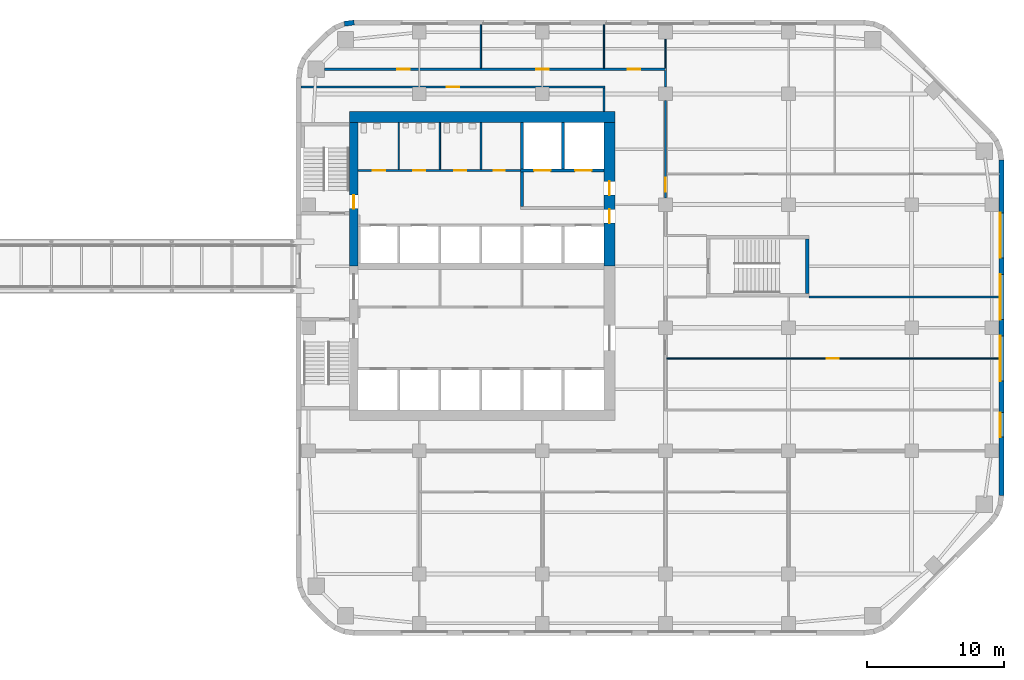
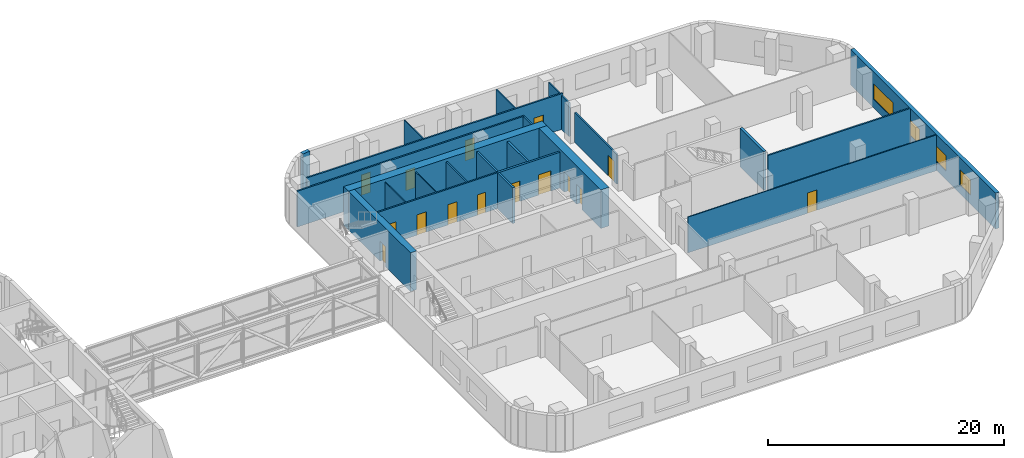
# One storey, part 16 of 21: 24 walls, 15 doors, 4 windows, 19 openings.
"""IFC4 building model written with IfcOpenShell, lengths in metres."""

from ifc_helpers import new_model, si_unit, direction, frame, frame_2d, origin, place, context, subcontext, project, spatial, rectangle, extrude, material, layer, layer_set, type_object, element, fill, save


model = new_model("IFC4")

# Units and contexts
model_context = context("Model", 3, precision=1e-05, world=origin(), true_north=direction((0.0, 1.0)))
body_context = subcontext(model_context, "Body", "Model", "MODEL_VIEW")
ifc_project = project(units=[si_unit("LENGTHUNIT", "METRE"), si_unit("AREAUNIT", "SQUARE_METRE"), si_unit("VOLUMEUNIT", "CUBIC_METRE"), si_unit("PLANEANGLEUNIT", "RADIAN"), si_unit("MASSUNIT", "GRAM", prefix="KILO")], contexts=[model_context])

# Site, building, storey
site_placement = place(None, origin())
site = spatial("IfcSite", under=ifc_project, at=site_placement, CompositionType="ELEMENT")
building_placement = place(site_placement, origin())
building = spatial("IfcBuilding", under=site, at=building_placement, Name="Cinnabar Reach Civic Tower", CompositionType="ELEMENT")
storey_placement = place(building_placement, frame((0.0, 0.0, 140.0)))
storey = spatial("IfcBuildingStorey", under=building, at=storey_placement, Name="L33", CompositionType="ELEMENT", Elevation=140.0)

# Wall
ifc_material_1 = material(Name="Facing brick with insulated backing", Category="masonry")
ifc_layer_1 = layer(ifc_material_1, 0.36)
ifc_layer_set_1 = layer_set([ifc_layer_1], Name="Brick corner wall")
wall_type_1 = type_object("IfcWallType", Name="Brick corner wall", PredefinedType="STANDARD", material=ifc_layer_set_1)
wall_1_placement = place(storey_placement, frame((4.2314, 49.317, 0.0), z_axis=(0.0, 0.0, 1.0), x_axis=(-0.99144092581, -0.13055608231, 0.0)))
element("IfcWall", 1, at=wall_1_placement, inside=storey, type_object=wall_type_1, Name="Brick corner wall", PredefinedType="STANDARD", context=body_context, shape_type="SweptSolid", body=[
    extrude(rectangle(XDim=0.7131, YDim=0.36, at=frame_2d((0.3565, 0.0))), origin(), (0.0, 0.0, 1.0), 3.7),
])

# Wall, openings, windows
ifc_layer_2 = layer(ifc_material_1, 0.36)
ifc_layer_set_2 = layer_set([ifc_layer_2], Name="Brick pier and spandrel wall")
wall_type_2 = type_object("IfcWallType", Name="Brick pier and spandrel wall", PredefinedType="STANDARD", material=ifc_layer_set_2)
wall_2_placement = place(storey_placement, frame((51.57, 14.7426, 0.0), z_axis=(0.0, 0.0, 1.0), x_axis=(0.0, 1.0, 0.0)))
wall_2 = element("IfcWall", 2, at=wall_2_placement, inside=storey, type_object=wall_type_2, Name="Brick facade wall", PredefinedType="STANDARD", context=body_context, shape_type="SweptSolid", body=[
    extrude(rectangle(XDim=24.5148, YDim=0.36, at=frame_2d((12.2574, 0.0))), origin(), (0.0, 0.0, 1.0), 3.7),
])
opening_1_placement = place(wall_2_placement, frame((4.2574, 0.0, 0.9)))
opening_1 = element("IfcOpeningElement", 3, at=opening_1_placement, cuts=wall_2, Name="Opening W1707", PredefinedType="OPENING", context=body_context, shape_type="SweptSolid", body=[
    extrude(rectangle(XDim=1.8, YDim=1.6, at=frame_2d((0.9, 0.8))), frame((0.0, 0.19, 0.0), z_axis=(0.0, -1.0, 0.0), x_axis=(1.0, 0.0, 0.0)), (0.0, 0.0, 1.0), 0.38),
])
opening_2_placement = place(wall_2_placement, frame((8.3574, 0.0, 0.9)))
opening_2 = element("IfcOpeningElement", 4, at=opening_2_placement, cuts=wall_2, Name="Opening W1708", PredefinedType="OPENING", context=body_context, shape_type="SweptSolid", body=[
    extrude(rectangle(XDim=3.3, YDim=1.6, at=frame_2d((1.65, 0.8))), frame((0.0, 0.19, 0.0), z_axis=(0.0, -1.0, 0.0), x_axis=(1.0, 0.0, 0.0)), (0.0, 0.0, 1.0), 0.38),
])
opening_3_placement = place(wall_2_placement, frame((12.8574, 0.0, 0.9)))
opening_3 = element("IfcOpeningElement", 5, at=opening_3_placement, cuts=wall_2, Name="Opening W1709", PredefinedType="OPENING", context=body_context, shape_type="SweptSolid", body=[
    extrude(rectangle(XDim=3.3, YDim=1.6, at=frame_2d((1.65, 0.8))), frame((0.0, 0.19, 0.0), z_axis=(0.0, -1.0, 0.0), x_axis=(1.0, 0.0, 0.0)), (0.0, 0.0, 1.0), 0.38),
])
opening_4_placement = place(wall_2_placement, frame((17.3574, 0.0, 0.9)))
opening_4 = element("IfcOpeningElement", 6, at=opening_4_placement, cuts=wall_2, Name="Opening W1710", PredefinedType="OPENING", context=body_context, shape_type="SweptSolid", body=[
    extrude(rectangle(XDim=3.3, YDim=1.6, at=frame_2d((1.65, 0.8))), frame((0.0, 0.19, 0.0), z_axis=(0.0, -1.0, 0.0), x_axis=(1.0, 0.0, 0.0)), (0.0, 0.0, 1.0), 0.38),
])
ifc_material_2 = material(Name="Clear double glazing in aluminium frame", Category="aluminium")
window_type_1 = type_object("IfcWindowType", Name="Deep-set window A", PartitioningType="SINGLE_PANEL", PredefinedType="WINDOW", material=ifc_material_2)
window_1_placement = place(opening_2_placement, origin())
window_1 = element("IfcWindow", 7, at=window_1_placement, inside=storey, type_object=window_type_1, Name="Window east face", OverallHeight=1.6, OverallWidth=3.3, PartitioningType="SINGLE_PANEL", PredefinedType="WINDOW", context=body_context, shape_type="SweptSolid", body=[
    extrude(rectangle(XDim=3.3, YDim=1.6, at=frame_2d((1.65, 0.8))), frame((0.0, 0.13, 0.0), z_axis=(0.0, -1.0, 0.0), x_axis=(1.0, 0.0, 0.0)), (0.0, 0.0, 1.0), 0.06),
])
fill(opening_2, window_1)
window_2_placement = place(opening_3_placement, origin())
window_2 = element("IfcWindow", 8, at=window_2_placement, inside=storey, type_object=window_type_1, Name="Window east face", OverallHeight=1.6, OverallWidth=3.3, PartitioningType="SINGLE_PANEL", PredefinedType="WINDOW", context=body_context, shape_type="SweptSolid", body=[
    extrude(rectangle(XDim=3.3, YDim=1.6, at=frame_2d((1.65, 0.8))), frame((0.0, 0.13, 0.0), z_axis=(0.0, -1.0, 0.0), x_axis=(1.0, 0.0, 0.0)), (0.0, 0.0, 1.0), 0.06),
])
fill(opening_3, window_2)
window_3_placement = place(opening_4_placement, origin())
window_3 = element("IfcWindow", 9, at=window_3_placement, inside=storey, type_object=window_type_1, Name="Window east face", OverallHeight=1.6, OverallWidth=3.3, PartitioningType="SINGLE_PANEL", PredefinedType="WINDOW", context=body_context, shape_type="SweptSolid", body=[
    extrude(rectangle(XDim=3.3, YDim=1.6, at=frame_2d((1.65, 0.8))), frame((0.0, 0.13, 0.0), z_axis=(0.0, -1.0, 0.0), x_axis=(1.0, 0.0, 0.0)), (0.0, 0.0, 1.0), 0.06),
])
fill(opening_4, window_3)
window_type_2 = type_object("IfcWindowType", Name="Deep-set window D", PartitioningType="SINGLE_PANEL", PredefinedType="WINDOW", material=ifc_material_2)
window_4_placement = place(opening_1_placement, origin())
window_4 = element("IfcWindow", 10, at=window_4_placement, inside=storey, type_object=window_type_2, Name="Window east face", OverallHeight=1.6, OverallWidth=1.8, PartitioningType="SINGLE_PANEL", PredefinedType="WINDOW", context=body_context, shape_type="SweptSolid", body=[
    extrude(rectangle(XDim=1.8, YDim=1.6, at=frame_2d((0.9, 0.8))), frame((0.0, 0.13, 0.0), z_axis=(0.0, -1.0, 0.0), x_axis=(1.0, 0.0, 0.0)), (0.0, 0.0, 1.0), 0.06),
])
fill(opening_1, window_4)

# Wall, opening, door
ifc_material_3 = material(Name="Concrete C70", Category="concrete")
ifc_layer_3 = layer(ifc_material_3, 0.6)
ifc_layer_set_3 = layer_set([ifc_layer_3], Name="Core wall 600 EI 180")
wall_type_3 = type_object("IfcWallType", Name="Core wall 600 EI 180", PredefinedType="SOLIDWALL", material=ifc_layer_set_3)
wall_3_placement = place(storey_placement, frame((4.2, 42.0, 0.0), z_axis=(0.0, 0.0, 1.0), x_axis=(0.0, -1.0, 0.0)))
wall_3 = element("IfcWall", 11, at=wall_3_placement, inside=storey, type_object=wall_type_3, Name="Core wall T1 L33 W", PredefinedType="SOLIDWALL", context=body_context, shape_type="SweptSolid", body=[
    extrude(rectangle(XDim=10.5, YDim=0.6, at=frame_2d((5.25, 0.0))), origin(), (0.0, 0.0, 1.0), 4.0),
])
opening_5_placement = place(wall_3_placement, frame((5.3, 0.0, 0.0)))
opening_5 = element("IfcOpeningElement", 12, at=opening_5_placement, cuts=wall_3, Name="Opening D4333", PredefinedType="OPENING", context=body_context, shape_type="SweptSolid", body=[
    extrude(rectangle(XDim=1.0, YDim=2.1, at=frame_2d((0.5, 1.05))), frame((0.0, 0.31, 0.0), z_axis=(0.0, -1.0, 0.0), x_axis=(1.0, 0.0, 0.0)), (0.0, 0.0, 1.0), 0.62),
])
ifc_material_4 = material(Name="Timber door leaf in steel frame", Category="steel")
door_type_1 = type_object("IfcDoorType", Name="Stair door 1000 x 2100 T1", OperationType="SINGLE_SWING_LEFT", PredefinedType="DOOR", material=ifc_material_4)
door_1_placement = place(opening_5_placement, frame((1.0, 0.0, 0.0), z_axis=(0.0, 0.0, 1.0), x_axis=(-1.0, 0.0, 0.0)))
door_1 = element("IfcDoor", 13, at=door_1_placement, inside=storey, type_object=door_type_1, Name="Door D4333", OperationType="SINGLE_SWING_LEFT", OverallHeight=2.1, OverallWidth=1.0, PredefinedType="DOOR", context=body_context, shape_type="SweptSolid", body=[
    extrude(rectangle(XDim=1.0, YDim=2.1, at=frame_2d((0.5, 1.05))), frame((0.0, 0.025, 0.0), z_axis=(0.0, -1.0, 0.0), x_axis=(1.0, 0.0, 0.0)), (0.0, 0.0, 1.0), 0.05),
])
fill(opening_5, door_1)

# Wall
ifc_layer_4 = layer(ifc_material_3, 0.8)
ifc_layer_set_4 = layer_set([ifc_layer_4], Name="Core wall 800 EI 180")
wall_type_4 = type_object("IfcWallType", Name="Core wall 800 EI 180", PredefinedType="SOLIDWALL", material=ifc_layer_set_4)
wall_4_placement = place(storey_placement, frame((23.3, 42.4, 0.0), z_axis=(0.0, 0.0, 1.0), x_axis=(-1.0, 0.0, 0.0)))
element("IfcWall", 14, at=wall_4_placement, inside=storey, type_object=wall_type_4, Name="Core wall T1 L33 N", PredefinedType="SOLIDWALL", context=body_context, shape_type="SweptSolid", body=[
    extrude(rectangle(XDim=19.4, YDim=0.8, at=frame_2d((9.7, 0.0))), origin(), (0.0, 0.0, 1.0), 4.0),
])

# Wall, openings, doors
wall_5_placement = place(storey_placement, frame((22.9, 31.5, 0.0), z_axis=(0.0, 0.0, 1.0), x_axis=(0.0, 1.0, 0.0)))
wall_5 = element("IfcWall", 15, at=wall_5_placement, inside=storey, type_object=wall_type_4, Name="Core wall T1 L33 E2", PredefinedType="SOLIDWALL", context=body_context, shape_type="SweptSolid", body=[
    extrude(rectangle(XDim=10.5, YDim=0.8, at=frame_2d((5.25, 0.0))), origin(), (0.0, 0.0, 1.0), 4.0),
])
opening_6_placement = place(wall_5_placement, frame((3.15, 0.0, 0.0)))
opening_6 = element("IfcOpeningElement", 16, at=opening_6_placement, cuts=wall_5, Name="Opening D4350", PredefinedType="OPENING", context=body_context, shape_type="SweptSolid", body=[
    extrude(rectangle(XDim=1.0, YDim=2.1, at=frame_2d((0.5, 1.05))), frame((0.0, 0.41, 0.0), z_axis=(0.0, -1.0, 0.0), x_axis=(1.0, 0.0, 0.0)), (0.0, 0.0, 1.0), 0.82),
])
opening_7_placement = place(wall_5_placement, frame((5.2, 0.0, 0.0)))
opening_7 = element("IfcOpeningElement", 17, at=opening_7_placement, cuts=wall_5, Name="Opening D4351", PredefinedType="OPENING", context=body_context, shape_type="SweptSolid", body=[
    extrude(rectangle(XDim=1.0, YDim=2.1, at=frame_2d((0.5, 1.05))), frame((0.0, 0.41, 0.0), z_axis=(0.0, -1.0, 0.0), x_axis=(1.0, 0.0, 0.0)), (0.0, 0.0, 1.0), 0.82),
])
door_type_2 = type_object("IfcDoorType", Name="Firefighting lobby door 1000 x 2100 T1", OperationType="SINGLE_SWING_LEFT", PredefinedType="DOOR", material=ifc_material_4)
door_2_placement = place(opening_7_placement, origin())
door_2 = element("IfcDoor", 18, at=door_2_placement, inside=storey, type_object=door_type_2, Name="Door D4351", OperationType="SINGLE_SWING_RIGHT", OverallHeight=2.1, OverallWidth=1.0, PredefinedType="DOOR", context=body_context, shape_type="SweptSolid", body=[
    extrude(rectangle(XDim=1.0, YDim=2.1, at=frame_2d((0.5, 1.05))), frame((0.0, 0.025, 0.0), z_axis=(0.0, -1.0, 0.0), x_axis=(1.0, 0.0, 0.0)), (0.0, 0.0, 1.0), 0.05),
])
fill(opening_7, door_2)
door_type_3 = type_object("IfcDoorType", Name="Single swing door 1000 x 2100 T1", OperationType="SINGLE_SWING_LEFT", PredefinedType="DOOR", material=ifc_material_4)
door_3_placement = place(opening_6_placement, origin())
door_3 = element("IfcDoor", 19, at=door_3_placement, inside=storey, type_object=door_type_3, Name="Door D4350", OperationType="SINGLE_SWING_RIGHT", OverallHeight=2.1, OverallWidth=1.0, PredefinedType="DOOR", context=body_context, shape_type="SweptSolid", body=[
    extrude(rectangle(XDim=1.0, YDim=2.1, at=frame_2d((0.5, 1.05))), frame((0.0, 0.025, 0.0), z_axis=(0.0, -1.0, 0.0), x_axis=(1.0, 0.0, 0.0)), (0.0, 0.0, 1.0), 0.05),
])
fill(opening_6, door_3)

ifc_material_5 = material(Name="Gypsum board on steel studs, double layer", Category="steel")
ifc_layer_5 = layer(ifc_material_5, 0.15)
ifc_layer_set_5 = layer_set([ifc_layer_5], Name="Corridor wall 150 T1")
wall_type_5 = type_object("IfcWallType", Name="Corridor wall 150 T1", PredefinedType="PARTITIONING", material=ifc_layer_set_5)
wall_6_placement = place(storey_placement, frame((2.0531, 45.9, 0.0), z_axis=(0.0, 0.0, 1.0), x_axis=(1.0, 0.0, 0.0)))
wall_6 = element("IfcWall", 20, at=wall_6_placement, inside=storey, type_object=wall_type_5, Name="Corridor wall 25", PredefinedType="PARTITIONING", context=body_context, shape_type="SweptSolid", body=[
    extrude(rectangle(XDim=25.0219, YDim=0.15, at=frame_2d((12.5109, 0.0))), origin(), (0.0, 0.0, 1.0), 3.7),
])
opening_8_placement = place(wall_6_placement, frame((5.35, 0.0, 0.0)))
opening_8 = element("IfcOpeningElement", 21, at=opening_8_placement, cuts=wall_6, Name="Opening D4371", PredefinedType="OPENING", context=body_context, shape_type="SweptSolid", body=[
    extrude(rectangle(XDim=0.9, YDim=2.1, at=frame_2d((0.45, 1.05))), frame((0.0, 0.085, 0.0), z_axis=(0.0, -1.0, 0.0), x_axis=(1.0, 0.0, 0.0)), (0.0, 0.0, 1.0), 0.17),
])
opening_9_placement = place(wall_6_placement, frame((15.4969, 0.0, 0.0)))
opening_9 = element("IfcOpeningElement", 22, at=opening_9_placement, cuts=wall_6, Name="Opening D4372", PredefinedType="OPENING", context=body_context, shape_type="SweptSolid", body=[
    extrude(rectangle(XDim=0.9, YDim=2.1, at=frame_2d((0.45, 1.05))), frame((0.0, 0.085, 0.0), z_axis=(0.0, -1.0, 0.0), x_axis=(1.0, 0.0, 0.0)), (0.0, 0.0, 1.0), 0.17),
])
opening_10_placement = place(wall_6_placement, frame((22.1969, 0.0, 0.0)))
opening_10 = element("IfcOpeningElement", 23, at=opening_10_placement, cuts=wall_6, Name="Opening D4373", PredefinedType="OPENING", context=body_context, shape_type="SweptSolid", body=[
    extrude(rectangle(XDim=0.9, YDim=2.1, at=frame_2d((0.45, 1.05))), frame((0.0, 0.085, 0.0), z_axis=(0.0, -1.0, 0.0), x_axis=(1.0, 0.0, 0.0)), (0.0, 0.0, 1.0), 0.17),
])
door_type_4 = type_object("IfcDoorType", Name="Single swing door 900 x 2100 corridor T1", OperationType="SINGLE_SWING_LEFT", PredefinedType="DOOR", material=ifc_material_4)
door_4_placement = place(opening_8_placement, origin())
door_4 = element("IfcDoor", 24, at=door_4_placement, inside=storey, type_object=door_type_4, Name="Door D4371", OperationType="SINGLE_SWING_RIGHT", OverallHeight=2.1, OverallWidth=0.9, PredefinedType="DOOR", context=body_context, shape_type="SweptSolid", body=[
    extrude(rectangle(XDim=0.9, YDim=2.1, at=frame_2d((0.45, 1.05))), frame((0.0, 0.025, 0.0), z_axis=(0.0, -1.0, 0.0), x_axis=(1.0, 0.0, 0.0)), (0.0, 0.0, 1.0), 0.05),
])
fill(opening_8, door_4)
door_5_placement = place(opening_9_placement, origin())
door_5 = element("IfcDoor", 25, at=door_5_placement, inside=storey, type_object=door_type_4, Name="Door D4372", OperationType="SINGLE_SWING_LEFT", OverallHeight=2.1, OverallWidth=0.9, PredefinedType="DOOR", context=body_context, shape_type="SweptSolid", body=[
    extrude(rectangle(XDim=0.9, YDim=2.1, at=frame_2d((0.45, 1.05))), frame((0.0, 0.025, 0.0), z_axis=(0.0, -1.0, 0.0), x_axis=(1.0, 0.0, 0.0)), (0.0, 0.0, 1.0), 0.05),
])
fill(opening_9, door_5)
door_6_placement = place(opening_10_placement, origin())
door_6 = element("IfcDoor", 26, at=door_6_placement, inside=storey, type_object=door_type_4, Name="Door D4373", OperationType="SINGLE_SWING_LEFT", OverallHeight=2.1, OverallWidth=0.9, PredefinedType="DOOR", context=body_context, shape_type="SweptSolid", body=[
    extrude(rectangle(XDim=0.9, YDim=2.1, at=frame_2d((0.45, 1.05))), frame((0.0, 0.025, 0.0), z_axis=(0.0, -1.0, 0.0), x_axis=(1.0, 0.0, 0.0)), (0.0, 0.0, 1.0), 0.05),
])
fill(opening_10, door_6)

# Wall, opening, door
wall_7_placement = place(storey_placement, frame((0.36, 44.6, 0.0), z_axis=(0.0, 0.0, 1.0), x_axis=(1.0, 0.0, 0.0)))
wall_7 = element("IfcWall", 27, at=wall_7_placement, inside=storey, type_object=wall_type_5, Name="Corridor wall 27", PredefinedType="PARTITIONING", context=body_context, shape_type="SweptSolid", body=[
    extrude(rectangle(XDim=22.215, YDim=0.15, at=frame_2d((11.1075, 0.0))), origin(), (0.0, 0.0, 1.0), 3.7),
])
opening_11_placement = place(wall_7_placement, frame((10.65, 0.0, 0.0)))
opening_11 = element("IfcOpeningElement", 28, at=opening_11_placement, cuts=wall_7, Name="Opening D5791", PredefinedType="OPENING", context=body_context, shape_type="SweptSolid", body=[
    extrude(rectangle(XDim=0.9, YDim=2.1, at=frame_2d((0.45, 1.05))), frame((0.0, 0.085, 0.0), z_axis=(0.0, -1.0, 0.0), x_axis=(1.0, 0.0, 0.0)), (0.0, 0.0, 1.0), 0.17),
])
door_7_placement = place(opening_11_placement, frame((0.9, 0.0, 0.0), z_axis=(0.0, 0.0, 1.0), x_axis=(-1.0, 0.0, 0.0)))
door_7 = element("IfcDoor", 29, at=door_7_placement, inside=storey, type_object=door_type_4, Name="Door D5791", OperationType="SINGLE_SWING_LEFT", OverallHeight=2.1, OverallWidth=0.9, PredefinedType="DOOR", context=body_context, shape_type="SweptSolid", body=[
    extrude(rectangle(XDim=0.9, YDim=2.1, at=frame_2d((0.45, 1.05))), frame((0.0, 0.025, 0.0), z_axis=(0.0, -1.0, 0.0), x_axis=(1.0, 0.0, 0.0)), (0.0, 0.0, 1.0), 0.05),
])
fill(opening_11, door_7)

wall_8_placement = place(storey_placement, frame((27.0, 36.5, 0.0), z_axis=(0.0, 0.0, 1.0), x_axis=(0.0, 1.0, 0.0)))
wall_8 = element("IfcWall", 30, at=wall_8_placement, inside=storey, type_object=wall_type_5, Name="Corridor wall 30", PredefinedType="PARTITIONING", context=body_context, shape_type="SweptSolid", body=[
    extrude(rectangle(XDim=7.1, YDim=0.15, at=frame_2d((3.55, 0.0))), origin(), (0.0, 0.0, 1.0), 3.106),
])
opening_12_placement = place(wall_8_placement, frame((0.45, 0.0, 0.0)))
opening_12 = element("IfcOpeningElement", 31, at=opening_12_placement, cuts=wall_8, Name="Opening D4359", PredefinedType="OPENING", context=body_context, shape_type="SweptSolid", body=[
    extrude(rectangle(XDim=1.0, YDim=2.1, at=frame_2d((0.5, 1.05))), frame((0.0, 0.085, 0.0), z_axis=(0.0, -1.0, 0.0), x_axis=(1.0, 0.0, 0.0)), (0.0, 0.0, 1.0), 0.17),
])
door_type_5 = type_object("IfcDoorType", Name="Tenancy entrance door 1000 x 2100 T1", OperationType="SINGLE_SWING_LEFT", PredefinedType="DOOR", material=ifc_material_4)
door_8_placement = place(opening_12_placement, frame((1.0, 0.0, 0.0), z_axis=(0.0, 0.0, 1.0), x_axis=(-1.0, 0.0, 0.0)))
door_8 = element("IfcDoor", 32, at=door_8_placement, inside=storey, type_object=door_type_5, Name="Door D4359", OperationType="SINGLE_SWING_LEFT", OverallHeight=2.1, OverallWidth=1.0, PredefinedType="DOOR", context=body_context, shape_type="SweptSolid", body=[
    extrude(rectangle(XDim=1.0, YDim=2.1, at=frame_2d((0.5, 1.05))), frame((0.0, 0.025, 0.0), z_axis=(0.0, -1.0, 0.0), x_axis=(1.0, 0.0, 0.0)), (0.0, 0.0, 1.0), 0.05),
])
fill(opening_12, door_8)

# Wall
wall_9_placement = place(storey_placement, frame((27.0, 44.6, 0.0), z_axis=(0.0, 0.0, 1.0), x_axis=(0.0, 1.0, 0.0)))
element("IfcWall", 33, at=wall_9_placement, inside=storey, type_object=wall_type_5, Name="Corridor wall 31", PredefinedType="PARTITIONING", context=body_context, shape_type="SweptSolid", body=[
    extrude(rectangle(XDim=1.225, YDim=0.15, at=frame_2d((0.6125, 0.0))), origin(), (0.0, 0.0, 1.0), 3.502),
])

# Wall, openings, doors
wall_10_placement = place(storey_placement, frame((4.5, 38.5, 0.0), z_axis=(0.0, 0.0, 1.0), x_axis=(1.0, 0.0, 0.0)))
wall_10 = element("IfcWall", 34, at=wall_10_placement, inside=storey, type_object=wall_type_5, Name="Corridor wall 32", PredefinedType="PARTITIONING", context=body_context, shape_type="SweptSolid", body=[
    extrude(rectangle(XDim=11.9, YDim=0.15, at=frame_2d((5.95, 0.0))), origin(), (0.0, 0.0, 1.0), 3.7),
])
opening_13_placement = place(wall_10_placement, frame((1.1, 0.0, 0.0)))
opening_13 = element("IfcOpeningElement", 35, at=opening_13_placement, cuts=wall_10, Name="Opening D4355", PredefinedType="OPENING", context=body_context, shape_type="SweptSolid", body=[
    extrude(rectangle(XDim=0.9, YDim=2.1, at=frame_2d((0.45, 1.05))), frame((0.0, 0.085, 0.0), z_axis=(0.0, -1.0, 0.0), x_axis=(1.0, 0.0, 0.0)), (0.0, 0.0, 1.0), 0.17),
])
opening_14_placement = place(wall_10_placement, frame((4.05, 0.0, 0.0)))
opening_14 = element("IfcOpeningElement", 36, at=opening_14_placement, cuts=wall_10, Name="Opening D4356", PredefinedType="OPENING", context=body_context, shape_type="SweptSolid", body=[
    extrude(rectangle(XDim=0.9, YDim=2.1, at=frame_2d((0.45, 1.05))), frame((0.0, 0.085, 0.0), z_axis=(0.0, -1.0, 0.0), x_axis=(1.0, 0.0, 0.0)), (0.0, 0.0, 1.0), 0.17),
])
opening_15_placement = place(wall_10_placement, frame((7.05, 0.0, 0.0)))
opening_15 = element("IfcOpeningElement", 37, at=opening_15_placement, cuts=wall_10, Name="Opening D4357", PredefinedType="OPENING", context=body_context, shape_type="SweptSolid", body=[
    extrude(rectangle(XDim=0.9, YDim=2.1, at=frame_2d((0.45, 1.05))), frame((0.0, 0.085, 0.0), z_axis=(0.0, -1.0, 0.0), x_axis=(1.0, 0.0, 0.0)), (0.0, 0.0, 1.0), 0.17),
])
opening_16_placement = place(wall_10_placement, frame((9.95, 0.0, 0.0)))
opening_16 = element("IfcOpeningElement", 38, at=opening_16_placement, cuts=wall_10, Name="Opening D4358", PredefinedType="OPENING", context=body_context, shape_type="SweptSolid", body=[
    extrude(rectangle(XDim=0.8, YDim=2.1, at=frame_2d((0.4, 1.05))), frame((0.0, 0.085, 0.0), z_axis=(0.0, -1.0, 0.0), x_axis=(1.0, 0.0, 0.0)), (0.0, 0.0, 1.0), 0.17),
])
door_type_6 = type_object("IfcDoorType", Name="Riser access door 800 x 2100 T1", OperationType="SINGLE_SWING_LEFT", PredefinedType="DOOR", material=ifc_material_4)
door_9_placement = place(opening_16_placement, origin())
door_9 = element("IfcDoor", 39, at=door_9_placement, inside=storey, type_object=door_type_6, Name="Door D4358", OperationType="SINGLE_SWING_RIGHT", OverallHeight=2.1, OverallWidth=0.8, PredefinedType="DOOR", context=body_context, shape_type="SweptSolid", body=[
    extrude(rectangle(XDim=0.8, YDim=2.1, at=frame_2d((0.4, 1.05))), frame((0.0, 0.025, 0.0), z_axis=(0.0, -1.0, 0.0), x_axis=(1.0, 0.0, 0.0)), (0.0, 0.0, 1.0), 0.05),
])
fill(opening_16, door_9)
door_10_placement = place(opening_13_placement, origin())
door_10 = element("IfcDoor", 40, at=door_10_placement, inside=storey, type_object=door_type_4, Name="Door D4355", OperationType="SINGLE_SWING_RIGHT", OverallHeight=2.1, OverallWidth=0.9, PredefinedType="DOOR", context=body_context, shape_type="SweptSolid", body=[
    extrude(rectangle(XDim=0.9, YDim=2.1, at=frame_2d((0.45, 1.05))), frame((0.0, 0.025, 0.0), z_axis=(0.0, -1.0, 0.0), x_axis=(1.0, 0.0, 0.0)), (0.0, 0.0, 1.0), 0.05),
])
fill(opening_13, door_10)
door_11_placement = place(opening_14_placement, origin())
door_11 = element("IfcDoor", 41, at=door_11_placement, inside=storey, type_object=door_type_4, Name="Door D4356", OperationType="SINGLE_SWING_RIGHT", OverallHeight=2.1, OverallWidth=0.9, PredefinedType="DOOR", context=body_context, shape_type="SweptSolid", body=[
    extrude(rectangle(XDim=0.9, YDim=2.1, at=frame_2d((0.45, 1.05))), frame((0.0, 0.025, 0.0), z_axis=(0.0, -1.0, 0.0), x_axis=(1.0, 0.0, 0.0)), (0.0, 0.0, 1.0), 0.05),
])
fill(opening_14, door_11)
door_12_placement = place(opening_15_placement, origin())
door_12 = element("IfcDoor", 42, at=door_12_placement, inside=storey, type_object=door_type_4, Name="Door D4357", OperationType="SINGLE_SWING_LEFT", OverallHeight=2.1, OverallWidth=0.9, PredefinedType="DOOR", context=body_context, shape_type="SweptSolid", body=[
    extrude(rectangle(XDim=0.9, YDim=2.1, at=frame_2d((0.45, 1.05))), frame((0.0, 0.025, 0.0), z_axis=(0.0, -1.0, 0.0), x_axis=(1.0, 0.0, 0.0)), (0.0, 0.0, 1.0), 0.05),
])
fill(opening_15, door_12)

# Walls
wall_11_placement = place(storey_placement, frame((22.5, 42.8, 0.0), z_axis=(0.0, 0.0, 1.0), x_axis=(0.0, 1.0, 0.0)))
element("IfcWall", 43, at=wall_11_placement, inside=storey, type_object=wall_type_5, Name="Corridor wall 38", PredefinedType="PARTITIONING", context=body_context, shape_type="SweptSolid", body=[
    extrude(rectangle(XDim=1.725, YDim=0.15, at=frame_2d((0.8625, 0.0))), origin(), (0.0, 0.0, 1.0), 3.7),
])
ifc_material_6 = material(Name="Blockwork", Category="masonry")
ifc_layer_6 = layer(ifc_material_6, 0.2)
ifc_layer_set_6 = layer_set([ifc_layer_6], Name="Lift shaft wall 200 T1")
wall_type_6 = type_object("IfcWallType", Name="Lift shaft wall 200 T1", PredefinedType="PARTITIONING", material=ifc_layer_set_6)
for number, where, z_axis, x_axis, name in (
    (44, (16.5, 38.6, 0.0), (0.0, 0.0, 1.0), (0.0, 1.0, 0.0), "Lift shaft wall 6"),
    (45, (19.5, 38.6, 0.0), (0.0, 0.0, 1.0), (0.0, 1.0, 0.0), "Lift shaft wall 7"),
):
    element("IfcWall", number, at=place(storey_placement, frame(where, z_axis=z_axis, x_axis=x_axis)), inside=storey, type_object=wall_type_6, Name=name, PredefinedType="PARTITIONING", context=body_context, shape_type="SweptSolid", body=[
        extrude(rectangle(XDim=3.4, YDim=0.2, at=frame_2d((1.7, 0.0))), origin(), (0.0, 0.0, 1.0), 3.7),
    ])

# Wall, opening, door
ifc_material_7 = material(Name="Gypsum board on steel studs", Category="steel")
ifc_layer_7 = layer(ifc_material_7, 0.1)
ifc_layer_set_7 = layer_set([ifc_layer_7], Name="Partition wall 100 T1")
wall_type_7 = type_object("IfcWallType", Name="Partition wall 100 T1", PredefinedType="PARTITIONING", material=ifc_layer_set_7)
wall_12_placement = place(storey_placement, frame((27.075, 24.75, 0.0), z_axis=(0.0, 0.0, 1.0), x_axis=(1.0, 0.0, 0.0)))
wall_12 = element("IfcWall", 46, at=wall_12_placement, inside=storey, type_object=wall_type_7, Name="Partition wall 47", PredefinedType="PARTITIONING", context=body_context, shape_type="SweptSolid", body=[
    extrude(rectangle(XDim=24.315, YDim=0.1, at=frame_2d((12.1575, 0.0))), origin(), (0.0, 0.0, 1.0), 3.7),
])
opening_17_placement = place(wall_12_placement, frame((11.7, 0.0, 0.0)))
opening_17 = element("IfcOpeningElement", 47, at=opening_17_placement, cuts=wall_12, Name="Opening D4363", PredefinedType="OPENING", context=body_context, shape_type="SweptSolid", body=[
    extrude(rectangle(XDim=0.9, YDim=2.1, at=frame_2d((0.45, 1.05))), frame((0.0, 0.06, 0.0), z_axis=(0.0, -1.0, 0.0), x_axis=(1.0, 0.0, 0.0)), (0.0, 0.0, 1.0), 0.12),
])
door_type_7 = type_object("IfcDoorType", Name="Single swing door 900 x 2100 T1", OperationType="SINGLE_SWING_LEFT", PredefinedType="DOOR", material=ifc_material_4)
door_13_placement = place(opening_17_placement, frame((0.9, 0.0, 0.0), z_axis=(0.0, 0.0, 1.0), x_axis=(-1.0, 0.0, 0.0)))
door_13 = element("IfcDoor", 48, at=door_13_placement, inside=storey, type_object=door_type_7, Name="Door D4363", OperationType="SINGLE_SWING_LEFT", OverallHeight=2.1, OverallWidth=0.9, PredefinedType="DOOR", context=body_context, shape_type="SweptSolid", body=[
    extrude(rectangle(XDim=0.9, YDim=2.1, at=frame_2d((0.45, 1.05))), frame((0.0, 0.025, 0.0), z_axis=(0.0, -1.0, 0.0), x_axis=(1.0, 0.0, 0.0)), (0.0, 0.0, 1.0), 0.05),
])
fill(opening_17, door_13)

# Walls
for number, where, z_axis, x_axis, name in (
    (49, (7.5, 38.575, 0.0), (0.0, 0.0, 1.0), (0.0, 1.0, 0.0), "Partition wall 58"),
    (50, (10.5, 38.575, 0.0), (0.0, 0.0, 1.0), (0.0, 1.0, 0.0), "Partition wall 59"),
):
    element("IfcWall", number, at=place(storey_placement, frame(where, z_axis=z_axis, x_axis=x_axis)), inside=storey, type_object=wall_type_7, Name=name, PredefinedType="PARTITIONING", context=body_context, shape_type="SweptSolid", body=[
        extrude(rectangle(XDim=3.425, YDim=0.1, at=frame_2d((1.7125, 0.0))), origin(), (0.0, 0.0, 1.0), 3.7),
    ])
for number, where, z_axis, x_axis, name in (
    (51, (13.5, 45.975, 0.0), (0.0, 0.0, 1.0), (0.0, 1.0, 0.0), "Partition wall 60"),
    (52, (22.5, 45.975, 0.0), (0.0, 0.0, 1.0), (0.0, 1.0, 0.0), "Partition wall 61"),
):
    element("IfcWall", number, at=place(storey_placement, frame(where, z_axis=z_axis, x_axis=x_axis)), inside=storey, type_object=wall_type_7, Name=name, PredefinedType="PARTITIONING", context=body_context, shape_type="SweptSolid", body=[
        extrude(rectangle(XDim=3.165, YDim=0.1, at=frame_2d((1.5825, 0.0))), origin(), (0.0, 0.0, 1.0), 3.7),
    ])
wall_13_placement = place(storey_placement, frame((27.0, 45.975, 0.0), z_axis=(0.0, 0.0, 1.0), x_axis=(0.0, 1.0, 0.0)))
element("IfcWall", 53, at=wall_13_placement, inside=storey, type_object=wall_type_7, Name="Partition wall 62", PredefinedType="PARTITIONING", context=body_context, shape_type="SweptSolid", body=[
    extrude(rectangle(XDim=2.125, YDim=0.1, at=frame_2d((1.0625, 0.0))), origin(), (0.0, 0.0, 1.0), 3.502),
])

# Wall, openings, doors
ifc_material_8 = material(Name="Concrete C40", Category="concrete")
ifc_layer_8 = layer(ifc_material_8, 0.2)
ifc_layer_set_8 = layer_set([ifc_layer_8], Name="Refuge compartment wall 200 T1")
wall_type_8 = type_object("IfcWallType", Name="Refuge compartment wall 200 T1", PredefinedType="PARTITIONING", material=ifc_layer_set_8)
wall_14_placement = place(storey_placement, frame((16.4, 38.5, 0.0), z_axis=(0.0, 0.0, 1.0), x_axis=(1.0, 0.0, 0.0)))
wall_14 = element("IfcWall", 54, at=wall_14_placement, inside=storey, type_object=wall_type_8, Name="Refuge compartment wall 2", PredefinedType="PARTITIONING", context=body_context, shape_type="SweptSolid", body=[
    extrude(rectangle(XDim=6.1, YDim=0.2, at=frame_2d((3.05, 0.0))), origin(), (0.0, 0.0, 1.0), 3.7),
])
opening_18_placement = place(wall_14_placement, frame((1.0, 0.0, 0.0)))
opening_18 = element("IfcOpeningElement", 55, at=opening_18_placement, cuts=wall_14, Name="Opening D4347", PredefinedType="OPENING", context=body_context, shape_type="SweptSolid", body=[
    extrude(rectangle(XDim=1.2, YDim=2.1, at=frame_2d((0.6, 1.05))), frame((0.0, 0.11, 0.0), z_axis=(0.0, -1.0, 0.0), x_axis=(1.0, 0.0, 0.0)), (0.0, 0.0, 1.0), 0.22),
])
opening_19_placement = place(wall_14_placement, frame((4.0, 0.0, 0.0)))
opening_19 = element("IfcOpeningElement", 56, at=opening_19_placement, cuts=wall_14, Name="Opening D4348", PredefinedType="OPENING", context=body_context, shape_type="SweptSolid", body=[
    extrude(rectangle(XDim=1.2, YDim=2.1, at=frame_2d((0.6, 1.05))), frame((0.0, 0.11, 0.0), z_axis=(0.0, -1.0, 0.0), x_axis=(1.0, 0.0, 0.0)), (0.0, 0.0, 1.0), 0.22),
])
ifc_material_9 = material(Name="Stainless steel sliding door", Category="steel")
door_type_8 = type_object("IfcDoorType", Name="Firefighting lift landing door 1200 x 2100 T1", OperationType="SLIDING_TO_LEFT", PredefinedType="DOOR", material=ifc_material_9)
door_14_placement = place(opening_18_placement, origin())
door_14 = element("IfcDoor", 57, at=door_14_placement, inside=storey, type_object=door_type_8, Name="Lift landing door FF1 L33", OperationType="SLIDING_TO_LEFT", OverallHeight=2.1, OverallWidth=1.2, PredefinedType="DOOR", context=body_context, shape_type="SweptSolid", body=[
    extrude(rectangle(XDim=1.2, YDim=2.1, at=frame_2d((0.6, 1.05))), frame((0.0, 0.025, 0.0), z_axis=(0.0, -1.0, 0.0), x_axis=(1.0, 0.0, 0.0)), (0.0, 0.0, 1.0), 0.05),
])
fill(opening_18, door_14)
door_15_placement = place(opening_19_placement, origin())
door_15 = element("IfcDoor", 58, at=door_15_placement, inside=storey, type_object=door_type_8, Name="Lift landing door FF2 L33", OperationType="SLIDING_TO_LEFT", OverallHeight=2.1, OverallWidth=1.2, PredefinedType="DOOR", context=body_context, shape_type="SweptSolid", body=[
    extrude(rectangle(XDim=1.2, YDim=2.1, at=frame_2d((0.6, 1.05))), frame((0.0, 0.025, 0.0), z_axis=(0.0, -1.0, 0.0), x_axis=(1.0, 0.0, 0.0)), (0.0, 0.0, 1.0), 0.05),
])
fill(opening_19, door_15)

# Walls
wall_15_placement = place(storey_placement, frame((16.5, 35.85, 0.0), z_axis=(0.0, 0.0, 1.0), x_axis=(0.0, 1.0, 0.0)))
element("IfcWall", 59, at=wall_15_placement, inside=storey, type_object=wall_type_8, Name="Refuge compartment wall 3", PredefinedType="PARTITIONING", context=body_context, shape_type="SweptSolid", body=[
    extrude(rectangle(XDim=2.55, YDim=0.2, at=frame_2d((1.275, 0.0))), origin(), (0.0, 0.0, 1.0), 3.7),
])
ifc_layer_9 = layer(ifc_material_6, 0.15)
ifc_layer_set_9 = layer_set([ifc_layer_9], Name="Riser wall 150 T1")
wall_type_9 = type_object("IfcWallType", Name="Riser wall 150 T1", PredefinedType="PARTITIONING", material=ifc_layer_set_9)
wall_16_placement = place(storey_placement, frame((13.5, 38.575, 0.0), z_axis=(0.0, 0.0, 1.0), x_axis=(0.0, 1.0, 0.0)))
element("IfcWall", 60, at=wall_16_placement, inside=storey, type_object=wall_type_9, Name="Riser wall 41", PredefinedType="PARTITIONING", context=body_context, shape_type="SweptSolid", body=[
    extrude(rectangle(XDim=3.425, YDim=0.15, at=frame_2d((1.7125, 0.0))), origin(), (0.0, 0.0, 1.0), 3.7),
])
ifc_material_10 = material(Name="Concrete C60", Category="concrete")
ifc_layer_10 = layer(ifc_material_10, 0.25)
ifc_layer_set_10 = layer_set([ifc_layer_10], Name="Stair shaft wall 250 EI 120")
wall_type_10 = type_object("IfcWallType", Name="Stair shaft wall 250 EI 120", PredefinedType="SOLIDWALL", material=ifc_layer_set_10)
wall_17_placement = place(storey_placement, frame((37.375, 29.5, 0.0), z_axis=(0.0, 0.0, 1.0), x_axis=(0.0, 1.0, 0.0)))
element("IfcWall", 61, at=wall_17_placement, inside=storey, type_object=wall_type_10, Name="Stair shaft wall T1-S3 L33", PredefinedType="SOLIDWALL", context=body_context, shape_type="SweptSolid", body=[
    extrude(rectangle(XDim=4.0, YDim=0.25, at=frame_2d((2.0, 0.0))), origin(), (0.0, 0.0, 1.0), 4.0),
])
ifc_layer_11 = layer(ifc_material_5, 0.15)
ifc_layer_set_11 = layer_set([ifc_layer_11], Name="Tenancy separating wall 150 T1")
wall_type_11 = type_object("IfcWallType", Name="Tenancy separating wall 150 T1", PredefinedType="PARTITIONING", material=ifc_layer_set_11)
wall_18_placement = place(storey_placement, frame((37.5, 29.25, 0.0), z_axis=(0.0, 0.0, 1.0), x_axis=(1.0, 0.0, 0.0)))
element("IfcWall", 62, at=wall_18_placement, inside=storey, type_object=wall_type_11, Name="Tenancy separating wall 42", PredefinedType="PARTITIONING", context=body_context, shape_type="SweptSolid", body=[
    extrude(rectangle(XDim=13.89, YDim=0.15, at=frame_2d((6.945, 0.0))), origin(), (0.0, 0.0, 1.0), 3.7),
])

save(model, "model.ifc")
